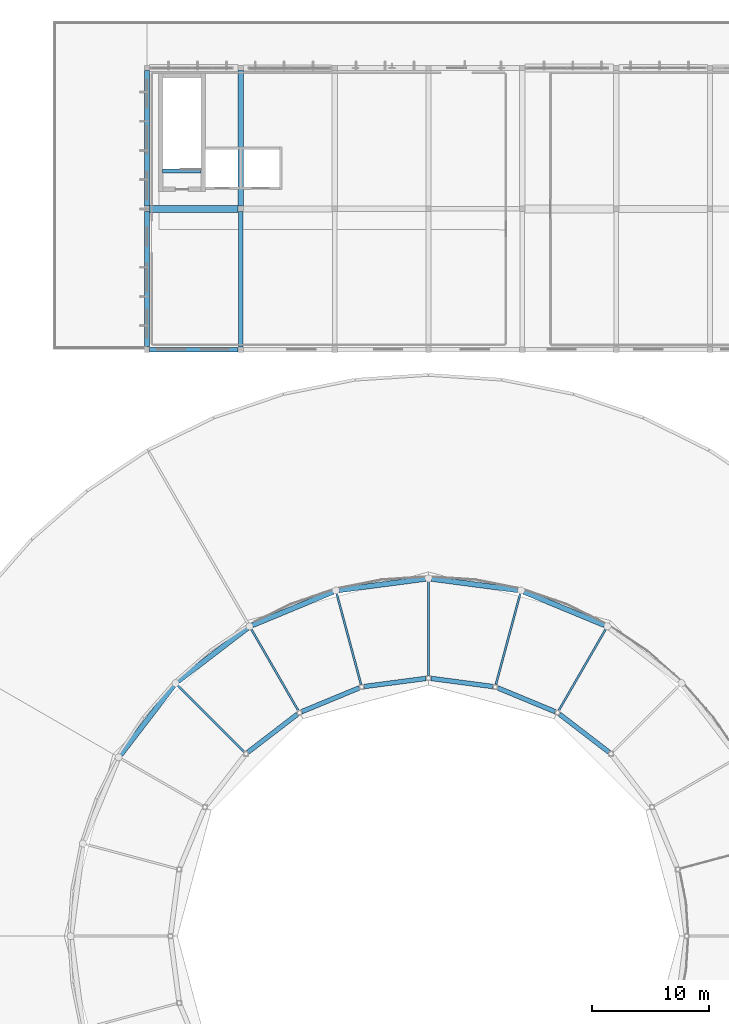
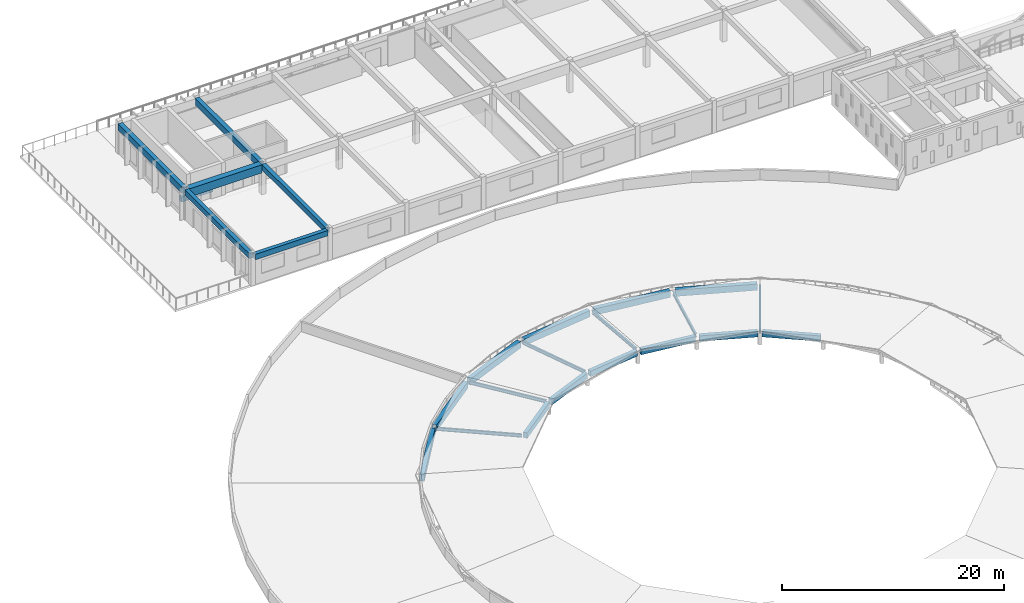
# One storey, part 17 of 77: 25 beams.
"""IFC4 building model written with IfcOpenShell, lengths in metres."""

from ifc_helpers import new_model, si_unit, direction, frame, origin, origin_2d, place, context, subcontext, project, spatial, rectangle, i_section, extrude, material, material_profile, profile_set, type_object, element, save


model = new_model("IFC4")

# Units and contexts
model_context = context("Model", 3, precision=1e-05, world=origin(), true_north=direction((0.0, 1.0)))
body_context = subcontext(model_context, "Body", "Model", "MODEL_VIEW")
ifc_project = project(units=[si_unit("LENGTHUNIT", "METRE"), si_unit("AREAUNIT", "SQUARE_METRE"), si_unit("VOLUMEUNIT", "CUBIC_METRE"), si_unit("PLANEANGLEUNIT", "RADIAN"), si_unit("MASSUNIT", "GRAM", prefix="KILO")], contexts=[model_context])

# Site, building, storey
site_placement = place(None, origin())
site = spatial("IfcSite", under=ifc_project, at=site_placement, CompositionType="ELEMENT")
building_placement = place(site_placement, origin())
building = spatial("IfcBuilding", under=site, at=building_placement, Name="Larkveld Mobility Hub", CompositionType="ELEMENT")
storey_placement = place(building_placement, frame((0.0, 0.0, 12.0)))
storey = spatial("IfcBuildingStorey", under=building, at=storey_placement, Name="L03", CompositionType="ELEMENT", Elevation=12.0)

# Beams
ifc_material_1 = material(Name="Concrete C40/50", Category="concrete")
ifc_material_profile_1 = material_profile(ifc_material_1, rectangle(XDim=0.35009765625, YDim=0.550048828125, at=origin_2d()), Name="RC BM 350x550")
ifc_profile_set_1 = profile_set([ifc_material_profile_1], Name="Concrete C40/50")
beam_type_1 = type_object("IfcBeamType", Name="BM-RC3555", PredefinedType="BEAM", material=ifc_profile_set_1)
beam_1_placement = place(storey_placement, frame((25.330078125, 113.239990234375, -0.27001953125), z_axis=(1.0, 0.0, 0.0), x_axis=(0.0, 1.0, 0.0)))
element("IfcBeam", 1, at=beam_1_placement, inside=storey, type_object=beam_type_1, Name="Core C6 Stair Header Beam L03", PredefinedType="BEAM", context=body_context, shape_type="SweptSolid", body=[
    extrude(rectangle(XDim=0.35009765625, YDim=0.550048828125, at=origin_2d()), origin(), (0.0, 0.0, 1.0), 3.2900390625),
])
ifc_material_profile_2 = material_profile(ifc_material_1, rectangle(XDim=0.39990234375, YDim=0.60009765625, at=origin_2d()), Name="RC BM 400x600")
ifc_profile_set_2 = profile_set([ifc_material_profile_2], Name="Concrete C40/50")
beam_type_2 = type_object("IfcBeamType", Name="BM-RC4060", PredefinedType="BEAM", material=ifc_profile_set_2)
beam_2_placement = place(storey_placement, frame((24.22509765625, 98.0, 3.06005859375), z_axis=(1.0, 0.0, 0.0), x_axis=(0.0, 1.0, 0.0)))
element("IfcBeam", 2, at=beam_2_placement, inside=storey, type_object=beam_type_2, Name="Primary E-W Girder L03-0744", PredefinedType="BEAM", context=body_context, shape_type="SweptSolid", body=[
    extrude(rectangle(XDim=0.39990234375, YDim=0.60009765625, at=origin_2d()), origin(), (0.0, 0.0, 1.0), 7.5498046875),
])
for number, where, z_axis, x_axis, name in (
    (3, (24.0, 98.22509765625, 3.06005859375), (0.0, 1.0, 0.0), (-1.0, 0.0, 0.0), "Primary N-S Girder L03-0771"),
    (4, (32.0, 98.22509765625, 3.06005859375), (0.0, 1.0, 0.0), (-1.0, 0.0, 0.0), "Primary N-S Girder L03-0773"),
):
    element("IfcBeam", number, at=place(storey_placement, frame(where, z_axis=z_axis, x_axis=x_axis)), inside=storey, type_object=beam_type_2, Name=name, PredefinedType="BEAM", context=body_context, shape_type="SweptSolid", body=[
        extrude(rectangle(XDim=0.39990234375, YDim=0.60009765625, at=origin_2d()), origin(), (0.0, 0.0, 1.0), 11.5498046875),
    ])
beam_3_placement = place(storey_placement, frame((63.381103515625, 63.68994140625, 1.199951171875), z_axis=(-0.793208988592, 0.608949505638, 0.0), x_axis=(-0.608949505638, -0.793208988592, 0.0)))
element("IfcBeam", 5, at=beam_3_placement, inside=storey, type_object=beam_type_2, Name="Drum Canopy Inner Ring Beam L03-1735", PredefinedType="BEAM", context=body_context, shape_type="SweptSolid", body=[
    extrude(rectangle(XDim=0.39990234375, YDim=0.60009765625, at=origin_2d()), origin(), (0.0, 0.0, 1.0), 5.302490234375),
])
beam_4_placement = place(storey_placement, frame((58.797119140625, 67.136962890625, 1.199951171875), z_axis=(-0.923923150273, 0.382578112795, 0.0), x_axis=(-0.382578112795, -0.923923150273, 0.0)))
element("IfcBeam", 6, at=beam_4_placement, inside=storey, type_object=beam_type_2, Name="Drum Canopy Inner Ring Beam L03-1735", PredefinedType="BEAM", context=body_context, shape_type="SweptSolid", body=[
    extrude(rectangle(XDim=0.39990234375, YDim=0.60009765625, at=origin_2d()), origin(), (0.0, 0.0, 1.0), 5.3037109375),
])
for number, where, z_axis, x_axis, name in (
    (7, (53.47607421875, 69.279052734375, 1.199951171875), (-0.991453198693, 0.130462848358, 0.0), (-0.130462848358, -0.991453198693, 0.0), "Drum Canopy Inner Ring Beam L03-1735"),
    (8, (47.781982421875, 69.970947265625, 1.199951171875), (-0.991453198693, -0.130462848358, 0.0), (0.130462848358, -0.991453198693, 0.0), "Drum Canopy Inner Ring Beam L03-1735"),
):
    element("IfcBeam", number, at=place(storey_placement, frame(where, z_axis=z_axis, x_axis=x_axis)), inside=storey, type_object=beam_type_2, Name=name, PredefinedType="BEAM", context=body_context, shape_type="SweptSolid", body=[
        extrude(rectangle(XDim=0.39990234375, YDim=0.60009765625, at=origin_2d()), origin(), (0.0, 0.0, 1.0), 5.303466796875),
    ])
beam_5_placement = place(storey_placement, frame((42.10302734375, 69.166015625, 1.199951171875), z_axis=(-0.923923150273, -0.382578112795, 0.0), x_axis=(0.382578112795, -0.923923150273, 0.0)))
element("IfcBeam", 9, at=beam_5_placement, inside=storey, type_object=beam_type_2, Name="Drum Canopy Inner Ring Beam L03-1735", PredefinedType="BEAM", context=body_context, shape_type="SweptSolid", body=[
    extrude(rectangle(XDim=0.39990234375, YDim=0.60009765625, at=origin_2d()), origin(), (0.0, 0.0, 1.0), 5.3037109375),
])
beam_6_placement = place(storey_placement, frame((36.824951171875, 66.9189453125, 1.199951171875), z_axis=(-0.793208988592, -0.608949505638, 0.0), x_axis=(0.608949505638, -0.793208988592, 0.0)))
element("IfcBeam", 10, at=beam_6_placement, inside=storey, type_object=beam_type_2, Name="Drum Canopy Inner Ring Beam L03-1735", PredefinedType="BEAM", context=body_context, shape_type="SweptSolid", body=[
    extrude(rectangle(XDim=0.39990234375, YDim=0.60009765625, at=origin_2d()), origin(), (0.0, 0.0, 1.0), 5.302490234375),
])
ifc_material_profile_3 = material_profile(ifc_material_1, rectangle(XDim=0.449951171875, YDim=0.699951171875, at=origin_2d()), Name="RC BM 450x700")
ifc_profile_set_3 = profile_set([ifc_material_profile_3], Name="Concrete C40/50")
beam_type_3 = type_object("IfcBeamType", Name="BM-RC4570", PredefinedType="BEAM", material=ifc_profile_set_3)
for number, where, z_axis, x_axis, name in (
    (11, (24.0, 110.22509765625, 3.010009765625), (0.0, 1.0, 0.0), (-1.0, 0.0, 0.0), "Primary N-S Girder L03-0772"),
    (12, (32.0, 110.22509765625, 3.010009765625), (0.0, 1.0, 0.0), (-1.0, 0.0, 0.0), "Primary N-S Girder L03-0774"),
):
    element("IfcBeam", number, at=place(storey_placement, frame(where, z_axis=z_axis, x_axis=x_axis)), inside=storey, type_object=beam_type_3, Name=name, PredefinedType="BEAM", context=body_context, shape_type="SweptSolid", body=[
        extrude(rectangle(XDim=0.449951171875, YDim=0.699951171875, at=origin_2d()), origin(), (0.0, 0.0, 1.0), 11.5498046875),
    ])
beam_7_placement = place(storey_placement, frame((63.010009765625, 74.512939453125, 0.449951171875), z_axis=(-0.923832101744, 0.382797920301, 0.0), x_axis=(-0.382797920301, -0.923832101744, 0.0)))
element("IfcBeam", 13, at=beam_7_placement, inside=storey, type_object=beam_type_3, Name="Drum Canopy Outer Ring Beam L03-1735", PredefinedType="BEAM", context=body_context, shape_type="SweptSolid", body=[
    extrude(rectangle(XDim=0.449951171875, YDim=0.699951171875, at=origin_2d()), origin(), (0.0, 0.0, 1.0), 7.44287109375),
])
for number, where, z_axis, x_axis, name in (
    (14, (55.635986328125, 77.4951171875, 0.449951171875), (-0.991451391953, 0.130476577955, 0.0), (-0.130476577955, -0.991451391953, 0.0), "Drum Canopy Outer Ring Beam L03-1735"),
    (15, (47.741943359375, 78.466064453125, 0.449951171875), (-0.991451391953, -0.130476577955, 0.0), (0.130476577955, -0.991451391953, 0.0), "Drum Canopy Outer Ring Beam L03-1735"),
):
    element("IfcBeam", number, at=place(storey_placement, frame(where, z_axis=z_axis, x_axis=x_axis)), inside=storey, type_object=beam_type_3, Name=name, PredefinedType="BEAM", context=body_context, shape_type="SweptSolid", body=[
        extrude(rectangle(XDim=0.449951171875, YDim=0.699951171875, at=origin_2d()), origin(), (0.0, 0.0, 1.0), 7.441650390625),
    ])
beam_8_placement = place(storey_placement, frame((39.865966796875, 77.362060546875, 0.449951171875), z_axis=(-0.923832101744, -0.382797920301, 0.0), x_axis=(0.382797920301, -0.923832101744, 0.0)))
element("IfcBeam", 16, at=beam_8_placement, inside=storey, type_object=beam_type_3, Name="Drum Canopy Outer Ring Beam L03-1735", PredefinedType="BEAM", context=body_context, shape_type="SweptSolid", body=[
    extrude(rectangle(XDim=0.449951171875, YDim=0.699951171875, at=origin_2d()), origin(), (0.0, 0.0, 1.0), 7.44287109375),
])
for number, where, z_axis, x_axis, name in (
    (17, (32.5439453125, 74.256103515625, 0.449951171875), (-0.793358692504, -0.608754453805, 0.0), (0.608754453805, -0.793358692504, 0.0), "Drum Canopy Outer Ring Beam L03-1735"),
    (18, (26.27490234375, 69.361083984375, 0.449951171875), (-0.608754453805, -0.793358692504, 0.0), (0.793358692504, -0.608754453805, 0.0), "Drum Canopy Outer Ring Beam L03-1735"),
):
    element("IfcBeam", number, at=place(storey_placement, frame(where, z_axis=z_axis, x_axis=x_axis)), inside=storey, type_object=beam_type_3, Name=name, PredefinedType="BEAM", context=body_context, shape_type="SweptSolid", body=[
        extrude(rectangle(XDim=0.449951171875, YDim=0.699951171875, at=origin_2d()), origin(), (0.0, 0.0, 1.0), 7.443115234375),
    ])
ifc_material_profile_4 = material_profile(ifc_material_1, rectangle(XDim=0.60009765625, YDim=0.89990234375, at=origin_2d()), Name="RC BM 600x900")
ifc_profile_set_4 = profile_set([ifc_material_profile_4], Name="Concrete C40/50")
beam_type_4 = type_object("IfcBeamType", Name="BM-RC6090", PredefinedType="BEAM", material=ifc_profile_set_4)
beam_9_placement = place(storey_placement, frame((24.22509765625, 110.0, 2.909912109375), z_axis=(1.0, 0.0, 0.0), x_axis=(0.0, 1.0, 0.0)))
element("IfcBeam", 19, at=beam_9_placement, inside=storey, type_object=beam_type_4, Name="Primary E-W Girder L03-0755", PredefinedType="BEAM", context=body_context, shape_type="SweptSolid", body=[
    extrude(rectangle(XDim=0.60009765625, YDim=0.89990234375, at=origin_2d()), origin(), (0.0, 0.0, 1.0), 7.5498046875),
])
ifc_material_2 = material(Name="Steel S355JR", Category="steel")
ifc_material_profile_5 = material_profile(ifc_material_2, i_section(OverallWidth=0.169921875, OverallDepth=0.360107421875, WebThickness=0.008056640625, FlangeThickness=0.0126953125, FilletRadius=0.01806640625, at=origin_2d()), Name="IPE 360")
ifc_profile_set_5 = profile_set([ifc_material_profile_5], Name="Steel S355JR")
beam_type_5 = type_object("IfcBeamType", Name="BM-STIPE360", PredefinedType="BEAM", material=ifc_profile_set_5)
beam_10_placement = place(storey_placement, frame((63.1201171875, 74.18896484375, 0.580078125), z_axis=(-0.498131769235, -0.862730863892, 0.086949393144), x_axis=(0.866010680327, -0.500025500909, 0.0)))
element("IfcBeam", 20, at=beam_10_placement, inside=storey, type_object=beam_type_5, Name="Drum Canopy Radial Rafter L03-1735", PredefinedType="BEAM", context=body_context, shape_type="SweptSolid", body=[
    extrude(i_section(OverallWidth=0.169921875, OverallDepth=0.360107421875, WebThickness=0.008056640625, FlangeThickness=0.0126953125, FilletRadius=0.01806640625, at=origin_2d()), origin(), (0.0, 0.0, 1.0), 8.050048828125),
])
beam_11_placement = place(storey_placement, frame((55.826904296875, 77.2099609375, 0.580078125), z_axis=(-0.257851357935, -0.962264999411, 0.086941061178), x_axis=(0.96592250653, -0.258831434294, 0.0)))
element("IfcBeam", 21, at=beam_11_placement, inside=storey, type_object=beam_type_5, Name="Drum Canopy Radial Rafter L03-1735", PredefinedType="BEAM", context=body_context, shape_type="SweptSolid", body=[
    extrude(i_section(OverallWidth=0.169921875, OverallDepth=0.360107421875, WebThickness=0.008056640625, FlangeThickness=0.0126953125, FilletRadius=0.01806640625, at=origin_2d()), origin(), (0.0, 0.0, 1.0), 8.05078125),
])
beam_12_placement = place(storey_placement, frame((48.0, 78.239990234375, 0.580078125), z_axis=(0.0, -0.996213113902, 0.086944992315), x_axis=(1.0, 0.0, 0.0)))
element("IfcBeam", 22, at=beam_12_placement, inside=storey, type_object=beam_type_5, Name="Drum Canopy Radial Rafter L03-1735", PredefinedType="BEAM", context=body_context, shape_type="SweptSolid", body=[
    extrude(i_section(OverallWidth=0.169921875, OverallDepth=0.360107421875, WebThickness=0.008056640625, FlangeThickness=0.0126953125, FilletRadius=0.01806640625, at=origin_2d()), origin(), (0.0, 0.0, 1.0), 8.050537109375),
])
beam_13_placement = place(storey_placement, frame((40.173095703125, 77.2099609375, 0.580078125), z_axis=(0.257851357935, -0.962264999411, 0.086941061178), x_axis=(0.96592250653, 0.258831434294, 0.0)))
element("IfcBeam", 23, at=beam_13_placement, inside=storey, type_object=beam_type_5, Name="Drum Canopy Radial Rafter L03-1735", PredefinedType="BEAM", context=body_context, shape_type="SweptSolid", body=[
    extrude(i_section(OverallWidth=0.169921875, OverallDepth=0.360107421875, WebThickness=0.008056640625, FlangeThickness=0.0126953125, FilletRadius=0.01806640625, at=origin_2d()), origin(), (0.0, 0.0, 1.0), 8.05078125),
])
beam_14_placement = place(storey_placement, frame((32.8798828125, 74.18896484375, 0.580078125), z_axis=(0.498131769235, -0.862730863892, 0.086949393144), x_axis=(0.866010680327, 0.500025500909, 0.0)))
element("IfcBeam", 24, at=beam_14_placement, inside=storey, type_object=beam_type_5, Name="Drum Canopy Radial Rafter L03-1735", PredefinedType="BEAM", context=body_context, shape_type="SweptSolid", body=[
    extrude(i_section(OverallWidth=0.169921875, OverallDepth=0.360107421875, WebThickness=0.008056640625, FlangeThickness=0.0126953125, FilletRadius=0.01806640625, at=origin_2d()), origin(), (0.0, 0.0, 1.0), 8.050048828125),
])
beam_15_placement = place(storey_placement, frame((26.616943359375, 69.383056640625, 0.580078125), z_axis=(0.70442917265, -0.70442917265, 0.086942978087), x_axis=(0.707106781187, 0.707106781187, 0.0)))
element("IfcBeam", 25, at=beam_15_placement, inside=storey, type_object=beam_type_5, Name="Drum Canopy Radial Rafter L03-1735", PredefinedType="BEAM", context=body_context, shape_type="SweptSolid", body=[
    extrude(i_section(OverallWidth=0.169921875, OverallDepth=0.360107421875, WebThickness=0.008056640625, FlangeThickness=0.0126953125, FilletRadius=0.01806640625, at=origin_2d()), origin(), (0.0, 0.0, 1.0), 8.05078125),
])

save(model, "model.ifc")
